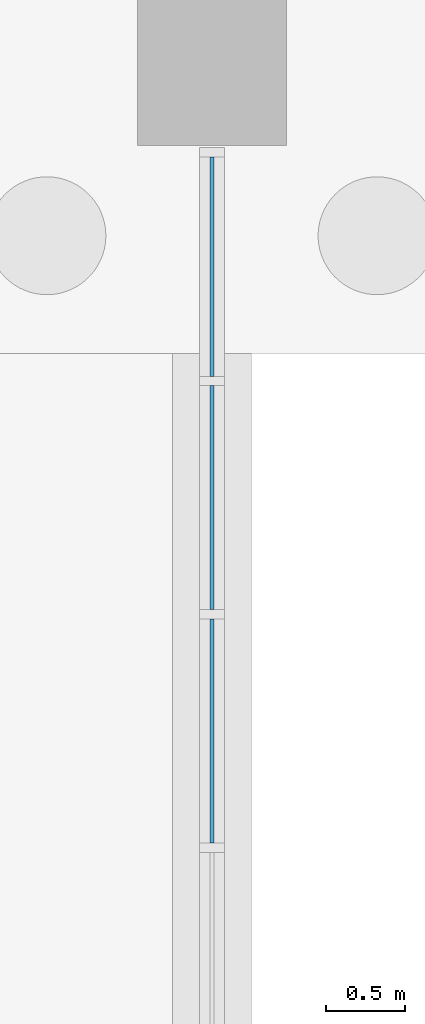
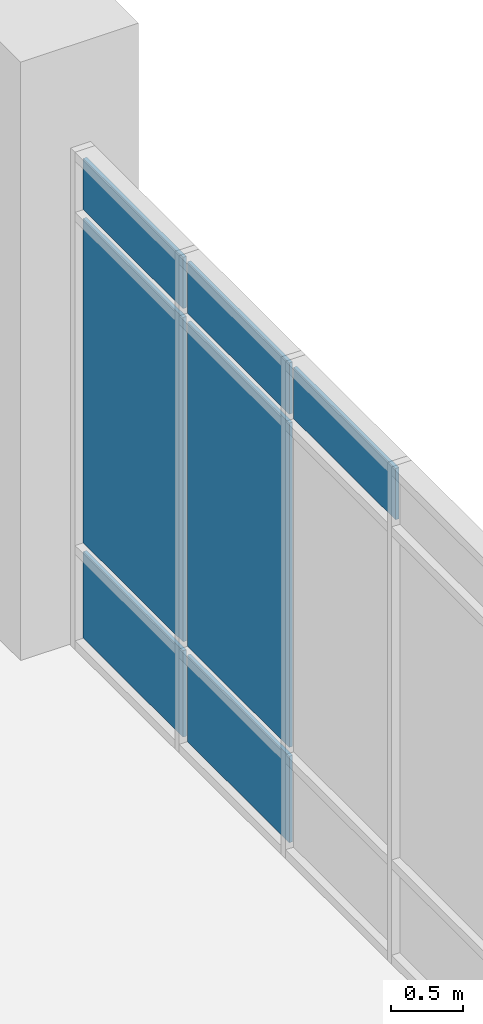
# One storey, part 90 of 136: 7 plates, 1 element without a shape of its own.
"""IFC4 building model written with IfcOpenShell, lengths in metres."""

from ifc_helpers import new_model, si_unit, direction, frame, origin, origin_2d, place, context, subcontext, project, spatial, rectangle, extrude, material, layer, layer_set, type_object, element, aggregate, save


model = new_model("IFC4")

# Units and contexts
model_context = context("Model", 3, precision=1e-05, world=origin(), true_north=direction((0.0, 1.0)))
body_context = subcontext(model_context, "Body", "Model", "MODEL_VIEW")
ifc_project = project(units=[si_unit("LENGTHUNIT", "METRE"), si_unit("AREAUNIT", "SQUARE_METRE"), si_unit("VOLUMEUNIT", "CUBIC_METRE"), si_unit("PLANEANGLEUNIT", "RADIAN"), si_unit("MASSUNIT", "GRAM", prefix="KILO")], contexts=[model_context])

# Site, building, storey
site_placement = place(None, origin())
site = spatial("IfcSite", under=ifc_project, at=site_placement, CompositionType="ELEMENT")
building_placement = place(site_placement, origin())
building = spatial("IfcBuilding", under=site, at=building_placement, Name="Oolite Switchyard Hospital", CompositionType="ELEMENT")
storey_placement = place(building_placement, origin())
storey = spatial("IfcBuildingStorey", under=building, at=storey_placement, Name="L00", CompositionType="ELEMENT", Elevation=0.0)

# Curtain wall, plates
ifc_material_1 = material(Name="Thermally broken aluminum frame with laminated impact glazing", Category="aluminium")
curtain_wall_type = type_object("IfcCurtainWallType", Name="CW-UNIT-84X51", PredefinedType="USERDEFINED", material=ifc_material_1)
curtain_wall_placement = place(storey_placement, origin())
curtain_wall = element("IfcCurtainWall", 1, at=curtain_wall_placement, inside=storey, type_object=curtain_wall_type, Name="L00 Unitised Curtain Wall 93", ObjectType="UNITISED", PredefinedType="USERDEFINED")
ifc_material_2 = material(Name="Laminated hurricane-impact insulated glazing unit", Category="glass")
ifc_layer = layer(ifc_material_2, 0.028076171875)
ifc_layer_set = layer_set([ifc_layer], Name="CW-PNL-VIS28")
plate_type = type_object("IfcPlateType", Name="CW-PNL-VIS28", PredefinedType="CURTAIN_PANEL", material=ifc_layer_set)
plate_1_placement = place(storey_placement, frame((211.199951171875, 124.7529296875, 0.0751953125), z_axis=(0.0, 0.0, 1.0), x_axis=(0.0, -1.0, 0.0)))
plate_1 = element("IfcPlate", 2, at=plate_1_placement, type_object=plate_type, Name="CW-06 panel 1.1", PredefinedType="CURTAIN_PANEL", context=body_context, shape_type="SweptSolid", body=[
    extrude(rectangle(XDim=1.39404296875, YDim=0.028076171875, at=origin_2d()), origin(), (0.0, 0.0, 1.0), 0.737548828125),
])
plate_2_placement = place(storey_placement, frame((211.199951171875, 124.7529296875, 0.8876953125), z_axis=(0.0, 0.0, 1.0), x_axis=(0.0, -1.0, 0.0)))
plate_2 = element("IfcPlate", 3, at=plate_2_placement, type_object=plate_type, Name="CW-06 panel 1.2", PredefinedType="CURTAIN_PANEL", context=body_context, shape_type="SweptSolid", body=[
    extrude(rectangle(XDim=1.39404296875, YDim=0.028076171875, at=origin_2d()), origin(), (0.0, 0.0, 1.0), 2.764892578125),
])
plate_3_placement = place(storey_placement, frame((211.199951171875, 124.7529296875, 3.7275390625), z_axis=(0.0, 0.0, 1.0), x_axis=(0.0, -1.0, 0.0)))
plate_3 = element("IfcPlate", 4, at=plate_3_placement, type_object=plate_type, Name="CW-06 panel 1.3", PredefinedType="CURTAIN_PANEL", context=body_context, shape_type="SweptSolid", body=[
    extrude(rectangle(XDim=1.39404296875, YDim=0.028076171875, at=origin_2d()), origin(), (0.0, 0.0, 1.0), 0.4375),
])
plate_4_placement = place(storey_placement, frame((211.199951171875, 123.283935546875, 0.0751953125), z_axis=(0.0, 0.0, 1.0), x_axis=(0.0, -1.0, 0.0)))
plate_4 = element("IfcPlate", 5, at=plate_4_placement, type_object=plate_type, Name="CW-06 panel 2.1", PredefinedType="CURTAIN_PANEL", context=body_context, shape_type="SweptSolid", body=[
    extrude(rectangle(XDim=1.424072265625, YDim=0.028076171875, at=origin_2d()), origin(), (0.0, 0.0, 1.0), 0.737548828125),
])
plate_5_placement = place(storey_placement, frame((211.199951171875, 123.283935546875, 0.8876953125), z_axis=(0.0, 0.0, 1.0), x_axis=(0.0, -1.0, 0.0)))
plate_5 = element("IfcPlate", 6, at=plate_5_placement, type_object=plate_type, Name="CW-06 panel 2.2", PredefinedType="CURTAIN_PANEL", context=body_context, shape_type="SweptSolid", body=[
    extrude(rectangle(XDim=1.424072265625, YDim=0.028076171875, at=origin_2d()), origin(), (0.0, 0.0, 1.0), 2.764892578125),
])
plate_6_placement = place(storey_placement, frame((211.199951171875, 123.283935546875, 3.7275390625), z_axis=(0.0, 0.0, 1.0), x_axis=(0.0, -1.0, 0.0)))
plate_6 = element("IfcPlate", 7, at=plate_6_placement, type_object=plate_type, Name="CW-06 panel 2.3", PredefinedType="CURTAIN_PANEL", context=body_context, shape_type="SweptSolid", body=[
    extrude(rectangle(XDim=1.424072265625, YDim=0.028076171875, at=origin_2d()), origin(), (0.0, 0.0, 1.0), 0.4375),
])
plate_7_placement = place(storey_placement, frame((211.199951171875, 121.800048828125, 3.7275390625), z_axis=(0.0, 0.0, 1.0), x_axis=(0.0, -1.0, 0.0)))
plate_7 = element("IfcPlate", 8, at=plate_7_placement, type_object=plate_type, Name="CW-06 panel 3.3", PredefinedType="CURTAIN_PANEL", context=body_context, shape_type="SweptSolid", body=[
    extrude(rectangle(XDim=1.424072265625, YDim=0.028076171875, at=origin_2d()), origin(), (0.0, 0.0, 1.0), 0.4375),
])
aggregate(curtain_wall, [plate_1, plate_2, plate_3, plate_4, plate_5, plate_6, plate_7])

save(model, "model.ifc")
